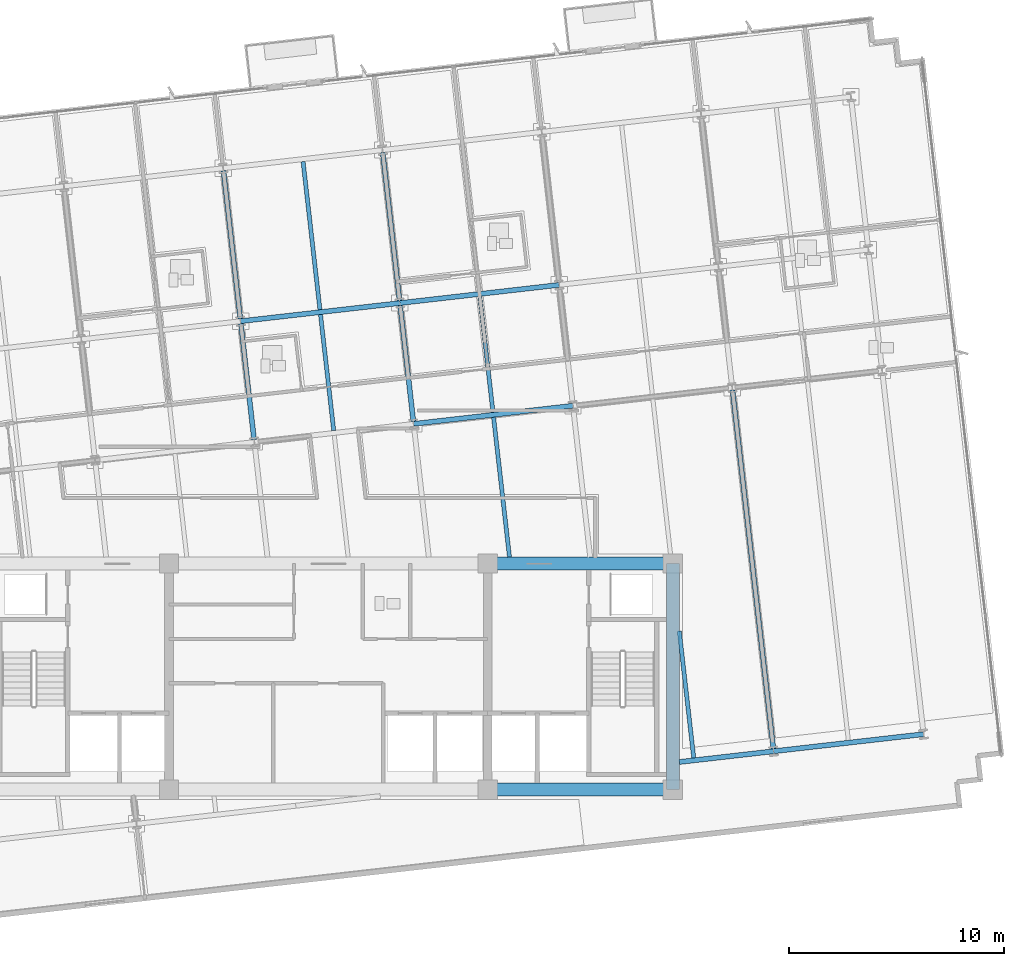
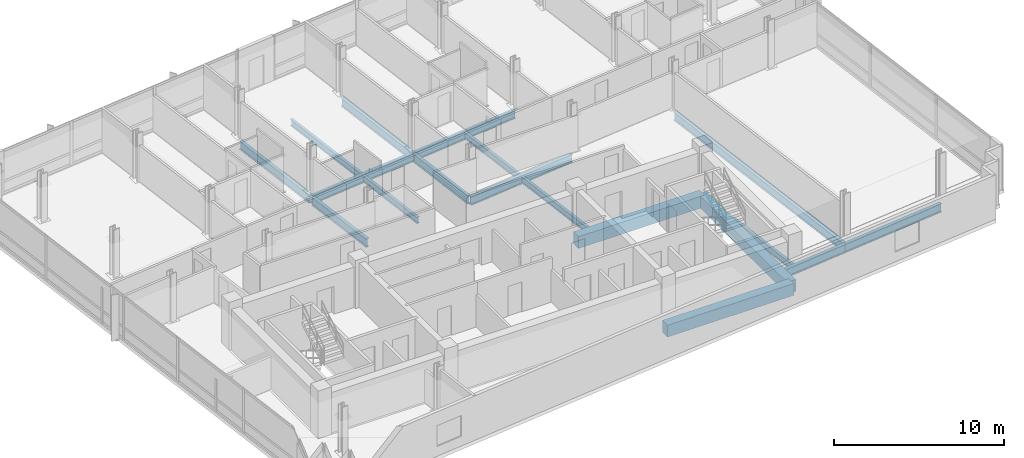
# One storey, part 3 of 16: 18 beams.
"""IFC4 building model written with IfcOpenShell, lengths in metres."""

from ifc_helpers import new_model, si_unit, direction, frame, origin, origin_2d, place, context, subcontext, project, spatial, rectangle, i_section, extrude, material, material_profile, profile_set, type_object, element, save


model = new_model("IFC4")

# Units and contexts
model_context = context("Model", 3, precision=1e-05, world=origin(), true_north=direction((0.0, 1.0)))
body_context = subcontext(model_context, "Body", "Model", "MODEL_VIEW")
ifc_project = project(units=[si_unit("LENGTHUNIT", "METRE"), si_unit("AREAUNIT", "SQUARE_METRE"), si_unit("VOLUMEUNIT", "CUBIC_METRE"), si_unit("PLANEANGLEUNIT", "RADIAN"), si_unit("MASSUNIT", "GRAM", prefix="KILO")], contexts=[model_context])

# Site, building, storey
site_placement = place(None, origin())
site = spatial("IfcSite", under=ifc_project, at=site_placement, CompositionType="ELEMENT")
building_placement = place(site_placement, origin())
building = spatial("IfcBuilding", under=site, at=building_placement, Name="Solmavex Isthmus Hotel", CompositionType="ELEMENT")
storey_placement = place(building_placement, frame((0.0, 0.0, 212.39990234375)))
storey = spatial("IfcBuildingStorey", under=building, at=storey_placement, Name="L57", CompositionType="ELEMENT", Elevation=212.39990234375)

# Beams
ifc_material_1 = material(Name="Steel ASTM A992 Grade 50", Category="steel")
ifc_material_profile_1 = material_profile(ifc_material_1, i_section(OverallWidth=0.1904296875, OverallDepth=0.456787109375, WebThickness=0.009033203125, FlangeThickness=0.014404296875, FilletRadius=0.0126953125, at=origin_2d()), Name="W18X50")
ifc_profile_set_1 = profile_set([ifc_material_profile_1], Name="Steel ASTM A992 Grade 50")
beam_type_1 = type_object("IfcBeamType", Name="BM-BJ-W18X50", PredefinedType="JOIST", material=ifc_profile_set_1)
beam_1_placement = place(storey_placement, frame((0.250244140625, 3.67822265625, -0.48828125), z_axis=(-0.113194691868, 0.993572826587, 0.0), x_axis=(-0.993572826587, -0.113194691868, 0.0)))
element("IfcBeam", 1, at=beam_1_placement, inside=storey, type_object=beam_type_1, Name="Secondary Floor Joist L57-J10", PredefinedType="JOIST", context=body_context, shape_type="SweptSolid", body=[
    extrude(i_section(OverallWidth=0.1904296875, OverallDepth=0.456787109375, WebThickness=0.009033203125, FlangeThickness=0.014404296875, FilletRadius=0.0126953125, at=origin_2d()), origin(), (0.0, 0.0, 1.0), 5.420166015625),
])
beam_2_placement = place(storey_placement, frame((-0.38916015625, 9.289794921875, -0.48828125), z_axis=(-0.113202453846, 0.993571942258, 0.0), x_axis=(-0.993571942258, -0.113202453846, 0.0)))
element("IfcBeam", 2, at=beam_2_placement, inside=storey, type_object=beam_type_1, Name="Secondary Floor Joist L57-J11", PredefinedType="JOIST", context=body_context, shape_type="SweptSolid", body=[
    extrude(i_section(OverallWidth=0.1904296875, OverallDepth=0.456787109375, WebThickness=0.009033203125, FlangeThickness=0.014404296875, FilletRadius=0.0126953125, at=origin_2d()), origin(), (0.0, 0.0, 1.0), 6.9228515625),
])
beam_3_placement = place(storey_placement, frame((8.414306640625, -2.199951171875, -0.48828125), z_axis=(-0.113206345873, 0.993571498813, 0.0), x_axis=(-0.993571498813, -0.113206345873, 0.0)))
element("IfcBeam", 3, at=beam_3_placement, inside=storey, type_object=beam_type_1, Name="Secondary Floor Joist L57-J12", PredefinedType="JOIST", context=body_context, shape_type="SweptSolid", body=[
    extrude(i_section(OverallWidth=0.1904296875, OverallDepth=0.456787109375, WebThickness=0.009033203125, FlangeThickness=0.014404296875, FilletRadius=0.0126953125, at=origin_2d()), origin(), (0.0, 0.0, 1.0), 6.53662109375),
])
beam_4_placement = place(storey_placement, frame((7.6484375, 4.521240234375, -0.48828125), z_axis=(-0.113194691868, 0.993572826587, 0.0), x_axis=(-0.993572826587, -0.113194691868, 0.0)))
element("IfcBeam", 4, at=beam_4_placement, inside=storey, type_object=beam_type_1, Name="Secondary Floor Joist L57-J13", PredefinedType="JOIST", context=body_context, shape_type="SweptSolid", body=[
    extrude(i_section(OverallWidth=0.1904296875, OverallDepth=0.456787109375, WebThickness=0.009033203125, FlangeThickness=0.014404296875, FilletRadius=0.0126953125, at=origin_2d()), origin(), (0.0, 0.0, 1.0), 5.420166015625),
])
beam_5_placement = place(storey_placement, frame((16.970947265625, -11.525390625, -0.48828125), z_axis=(-0.113202687678, 0.993571915617, 0.0), x_axis=(-0.993571915617, -0.113202687678, 0.0)))
element("IfcBeam", 5, at=beam_5_placement, inside=storey, type_object=beam_type_1, Name="Secondary Floor Joist L57-J15", PredefinedType="JOIST", context=body_context, shape_type="SweptSolid", body=[
    extrude(i_section(OverallWidth=0.1904296875, OverallDepth=0.456787109375, WebThickness=0.009033203125, FlangeThickness=0.014404296875, FilletRadius=0.0126953125, at=origin_2d()), origin(), (0.0, 0.0, 1.0), 5.926513671875),
])
ifc_material_profile_2 = material_profile(ifc_material_1, i_section(OverallWidth=0.227783203125, OverallDepth=0.602783203125, WebThickness=0.010498046875, FlangeThickness=0.014892578125, FilletRadius=0.01513671875, at=origin_2d()), Name="W24X68")
ifc_profile_set_2 = profile_set([ifc_material_profile_2], Name="Steel ASTM A992 Grade 50")
beam_type_2 = type_object("IfcBeamType", Name="BM-BM-W24X68", PredefinedType="BEAM", material=ifc_profile_set_2)
for number, where, z_axis, x_axis, name in (
    (6, (3.962158203125, 3.986572265625, -0.561279296875), (0.993574034044, 0.113184092846, 0.0), (-0.113184092846, 0.993574034044, 0.0), "Floor Girder L57-UG09"),
    (7, (-4.0751953125, 8.75537109375, -0.561279296875), (0.993574034044, 0.113184092846, 0.0), (-0.113184092846, 0.993574034044, 0.0), "Floor Girder L57-UG14"),
):
    element("IfcBeam", number, at=place(storey_placement, frame(where, z_axis=z_axis, x_axis=x_axis)), inside=storey, type_object=beam_type_2, Name=name, PredefinedType="BEAM", context=body_context, shape_type="SweptSolid", body=[
        extrude(i_section(OverallWidth=0.227783203125, OverallDepth=0.602783203125, WebThickness=0.010498046875, FlangeThickness=0.014892578125, FilletRadius=0.01513671875, at=origin_2d()), origin(), (0.0, 0.0, 1.0), 7.446044921875),
    ])
beam_6_placement = place(storey_placement, frame((3.322998046875, 9.59814453125, -0.561279296875), z_axis=(0.993569926006, 0.113220148984, 0.0), x_axis=(-0.113220148984, 0.993569926006, 0.0)))
element("IfcBeam", 8, at=beam_6_placement, inside=storey, type_object=beam_type_2, Name="Floor Girder L57-UG15", PredefinedType="BEAM", context=body_context, shape_type="SweptSolid", body=[
    extrude(i_section(OverallWidth=0.227783203125, OverallDepth=0.602783203125, WebThickness=0.010498046875, FlangeThickness=0.014892578125, FilletRadius=0.01513671875, at=origin_2d()), origin(), (0.0, 0.0, 1.0), 7.44580078125),
])
beam_7_placement = place(storey_placement, frame((-3.44873046875, 3.2568359375, -0.561279296875), z_axis=(-0.113194691868, 0.993572826587, 0.0), x_axis=(-0.993572826587, -0.113194691868, 0.0)))
element("IfcBeam", 9, at=beam_7_placement, inside=storey, type_object=beam_type_2, Name="Floor Beam L57-VG32", PredefinedType="BEAM", context=body_context, shape_type="SweptSolid", body=[
    extrude(i_section(OverallWidth=0.227783203125, OverallDepth=0.602783203125, WebThickness=0.010498046875, FlangeThickness=0.014892578125, FilletRadius=0.01513671875, at=origin_2d()), origin(), (0.0, 0.0, 1.0), 5.420166015625),
])
beam_8_placement = place(storey_placement, frame((-4.088134765625, 8.868408203125, -0.561279296875), z_axis=(-0.113202453846, 0.993571942258, 0.0), x_axis=(-0.993571942258, -0.113202453846, 0.0)))
element("IfcBeam", 10, at=beam_8_placement, inside=storey, type_object=beam_type_2, Name="Floor Beam L57-VG33", PredefinedType="BEAM", context=body_context, shape_type="SweptSolid", body=[
    extrude(i_section(OverallWidth=0.227783203125, OverallDepth=0.602783203125, WebThickness=0.010498046875, FlangeThickness=0.014892578125, FilletRadius=0.01513671875, at=origin_2d()), origin(), (0.0, 0.0, 1.0), 6.9228515625),
])
beam_9_placement = place(storey_placement, frame((3.949462890625, 4.099609375, -0.561279296875), z_axis=(-0.113234090386, 0.993568337244, 0.0), x_axis=(-0.993568337244, -0.113234090386, 0.0)))
element("IfcBeam", 11, at=beam_9_placement, inside=storey, type_object=beam_type_2, Name="Floor Beam L57-VG35", PredefinedType="BEAM", context=body_context, shape_type="SweptSolid", body=[
    extrude(i_section(OverallWidth=0.227783203125, OverallDepth=0.602783203125, WebThickness=0.010498046875, FlangeThickness=0.014892578125, FilletRadius=0.01513671875, at=origin_2d()), origin(), (0.0, 0.0, 1.0), 5.42041015625),
])
beam_10_placement = place(storey_placement, frame((3.31005859375, 9.71142578125, -0.561279296875), z_axis=(-0.113202453846, 0.993571942258, 0.0), x_axis=(-0.993571942258, -0.113202453846, 0.0)))
element("IfcBeam", 12, at=beam_10_placement, inside=storey, type_object=beam_type_2, Name="Floor Beam L57-VG36", PredefinedType="BEAM", context=body_context, shape_type="SweptSolid", body=[
    extrude(i_section(OverallWidth=0.227783203125, OverallDepth=0.602783203125, WebThickness=0.010498046875, FlangeThickness=0.014892578125, FilletRadius=0.01513671875, at=origin_2d()), origin(), (0.0, 0.0, 1.0), 6.9228515625),
])
beam_11_placement = place(storey_placement, frame((20.669921875, -11.10400390625, -0.561279296875), z_axis=(-0.113198426291, 0.993572401129, 0.0), x_axis=(-0.993572401129, -0.113198426291, 0.0)))
element("IfcBeam", 13, at=beam_11_placement, inside=storey, type_object=beam_type_2, Name="Floor Beam L57-VG40", PredefinedType="BEAM", context=body_context, shape_type="SweptSolid", body=[
    extrude(i_section(OverallWidth=0.227783203125, OverallDepth=0.602783203125, WebThickness=0.010498046875, FlangeThickness=0.014892578125, FilletRadius=0.01513671875, at=origin_2d()), origin(), (0.0, 0.0, 1.0), 16.77099609375),
])
ifc_material_2 = material(Name="Concrete C50/60", Category="concrete")
ifc_material_profile_3 = material_profile(ifc_material_2, rectangle(XDim=0.60009765625, YDim=0.85009765625, at=origin_2d()), Name="RC600X850")
ifc_profile_set_3 = profile_set([ifc_material_profile_3], Name="Concrete C50/60")
beam_type_3 = type_object("IfcBeamType", Name="BM-CB-600X850", PredefinedType="BEAM", material=ifc_profile_set_3)
for number, where, z_axis, x_axis, name in (
    (14, (7.39990234375, -13.0, -0.684814453125), (1.0, 0.0, 0.0), (0.0, 1.0, 0.0), "Core Coupling Beam L57-CB3"),
    (15, (7.39990234375, -2.5, -0.684814453125), (1.0, 0.0, 0.0), (0.0, 1.0, 0.0), "Core Coupling Beam L57-CB6"),
):
    element("IfcBeam", number, at=place(storey_placement, frame(where, z_axis=z_axis, x_axis=x_axis)), inside=storey, type_object=beam_type_3, Name=name, PredefinedType="BEAM", context=body_context, shape_type="SweptSolid", body=[
        extrude(rectangle(XDim=0.60009765625, YDim=0.85009765625, at=origin_2d()), origin(), (0.0, 0.0, 1.0), 8.60009765625),
    ])
beam_12_placement = place(storey_placement, frame((16.0, -13.0, -0.684814453125), z_axis=(0.0, 1.0, 0.0), x_axis=(-1.0, 0.0, 0.0)))
element("IfcBeam", 16, at=beam_12_placement, inside=storey, type_object=beam_type_3, Name="Core Coupling Beam L57-CB8", PredefinedType="BEAM", context=body_context, shape_type="SweptSolid", body=[
    extrude(rectangle(XDim=0.60009765625, YDim=0.85009765625, at=origin_2d()), origin(), (0.0, 0.0, 1.0), 10.5),
])
ifc_material_profile_4 = material_profile(ifc_material_1, i_section(OverallWidth=0.230224609375, OverallDepth=0.617431640625, WebThickness=0.01318359375, FlangeThickness=0.022216796875, FilletRadius=0.01513671875, at=origin_2d()), Name="W24X94")
ifc_profile_set_4 = profile_set([ifc_material_profile_4], Name="Steel ASTM A992 Grade 50")
beam_type_4 = type_object("IfcBeamType", Name="BM-SP-W24X94", PredefinedType="SPANDREL", material=ifc_profile_set_4)
beam_13_placement = place(storey_placement, frame((16.300048828125, -11.7177734375, -0.568603515625), z_axis=(0.993574880398, 0.113176662976, 0.0), x_axis=(-0.113176662976, 0.993574880398, 0.0)))
element("IfcBeam", 17, at=beam_13_placement, inside=storey, type_object=beam_type_4, Name="Floor Girder L57-UG04", PredefinedType="SPANDREL", context=body_context, shape_type="SweptSolid", body=[
    extrude(i_section(OverallWidth=0.230224609375, OverallDepth=0.617431640625, WebThickness=0.01318359375, FlangeThickness=0.022216796875, FilletRadius=0.01513671875, at=origin_2d()), origin(), (0.0, 0.0, 1.0), 4.411376953125),
])
beam_14_placement = place(storey_placement, frame((20.68310546875, -11.218505859375, -0.568603515625), z_axis=(0.993569675103, 0.113222350774, 0.0), x_axis=(-0.113222350774, 0.993569675103, 0.0)))
element("IfcBeam", 18, at=beam_14_placement, inside=storey, type_object=beam_type_4, Name="Floor Girder L57-UG05", PredefinedType="SPANDREL", context=body_context, shape_type="SweptSolid", body=[
    extrude(i_section(OverallWidth=0.230224609375, OverallDepth=0.617431640625, WebThickness=0.01318359375, FlangeThickness=0.022216796875, FilletRadius=0.01513671875, at=origin_2d()), origin(), (0.0, 0.0, 1.0), 7.008056640625),
])

save(model, "model.ifc")
